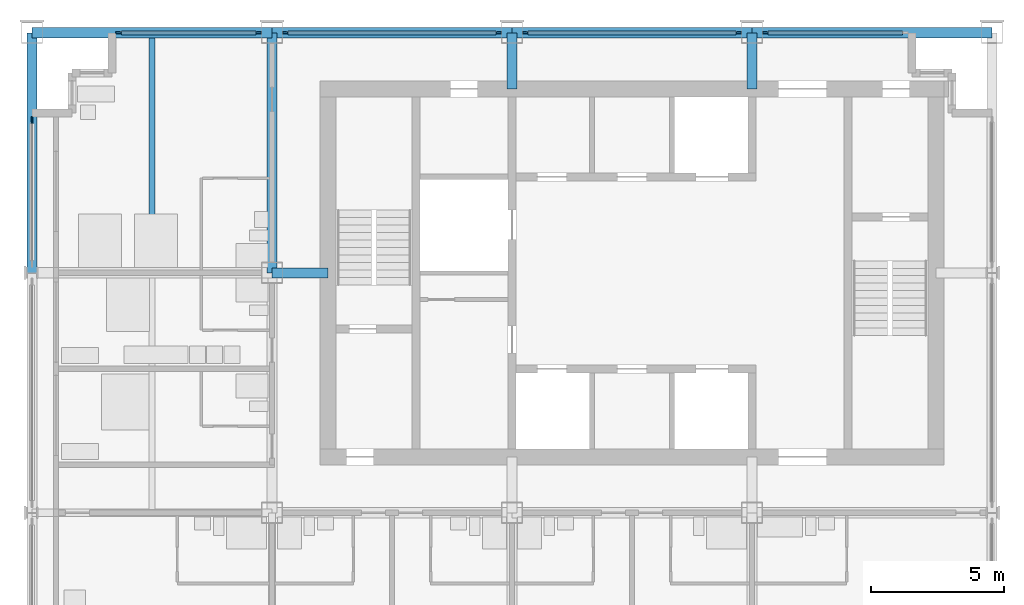
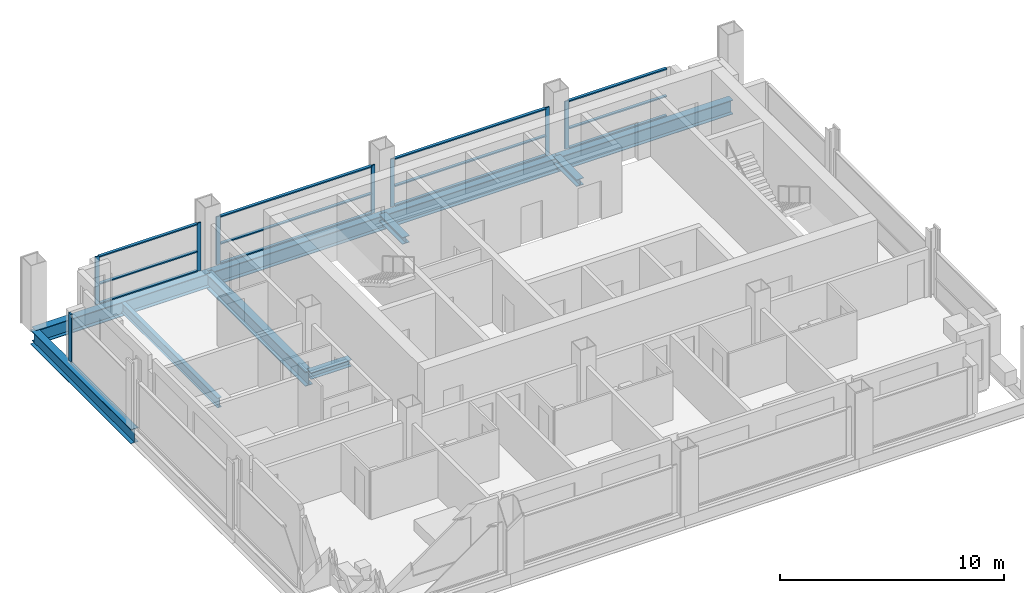
# One storey, part 3 of 12: 23 members, 7 beams, 5 elements without a shape of their own.
"""IFC4 building model written with IfcOpenShell, lengths in metres."""

from ifc_helpers import new_model, si_unit, direction, frame, origin, origin_2d, place, context, subcontext, project, spatial, rectangle, i_section, extrude, material, material_profile, profile_set, type_object, element, aggregate, save


model = new_model("IFC4")

# Units and contexts
model_context = context("Model", 3, precision=1e-05, world=origin(), true_north=direction((0.0, 1.0)))
body_context = subcontext(model_context, "Body", "Model", "MODEL_VIEW")
ifc_project = project(units=[si_unit("LENGTHUNIT", "METRE"), si_unit("AREAUNIT", "SQUARE_METRE"), si_unit("VOLUMEUNIT", "CUBIC_METRE"), si_unit("PLANEANGLEUNIT", "RADIAN"), si_unit("MASSUNIT", "GRAM", prefix="KILO")], contexts=[model_context])

# Site, building, storey
site_placement = place(None, origin())
site = spatial("IfcSite", under=ifc_project, at=site_placement, CompositionType="ELEMENT")
building_placement = place(site_placement, origin())
building = spatial("IfcBuilding", under=site, at=building_placement, Name="Loomwork Tower", CompositionType="ELEMENT")
storey_placement = place(building_placement, frame((0.0, 0.0, 255.39990234375)))
storey = spatial("IfcBuildingStorey", under=building, at=storey_placement, Name="L70", CompositionType="ELEMENT", Elevation=255.39990234375)

# Beam
ifc_material_1 = material(Name="Steel ASTM A992", Category="steel")
ifc_material_profile_1 = material_profile(ifc_material_1, i_section(OverallWidth=0.383544921875, OverallDepth=0.794921875, WebThickness=0.02099609375, FlangeThickness=0.0380859375, at=origin_2d()), Name="W30x235")
ifc_profile_set_1 = profile_set([ifc_material_profile_1], Name="Steel ASTM A992")
beam_type_1 = type_object("IfcBeamType", Name="CORE FLANK GIRDER W30x235", PredefinedType="BEAM", material=ifc_profile_set_1)
beam_1_placement = place(storey_placement, frame((9.0, 18.0, -0.597412109375), z_axis=(0.0, 1.0, 0.0), x_axis=(-1.0, 0.0, 0.0)))
element("IfcBeam", 1, at=beam_1_placement, inside=storey, type_object=beam_type_1, Name="Core Flank Girder F/3-G/3 L70", PredefinedType="BEAM", context=body_context, shape_type="SweptSolid", body=[
    extrude(i_section(OverallWidth=0.383544921875, OverallDepth=0.794921875, WebThickness=0.02099609375, FlangeThickness=0.0380859375, at=origin_2d()), origin(), (0.0, 0.0, 1.0), 9.0),
])

# Members
ifc_material_2 = material(Name="Steel ASTM A992", Category="steel")
ifc_material_profile_2 = material_profile(ifc_material_2, i_section(OverallWidth=0.373291015625, OverallDepth=0.373291015625, WebThickness=0.016357421875, FlangeThickness=0.026123046875, at=origin_2d()), Name="W14x132")
ifc_profile_set_2 = profile_set([ifc_material_profile_2], Name="Steel ASTM A992")
member_type_1 = type_object("IfcMemberType", Name="CORE LINK STRUT W14x132", PredefinedType="STRUT", material=ifc_profile_set_2)
for number, where, z_axis, x_axis, name in (
    (2, (18.0, 27.0, -0.386474609375), (0.0, -1.0, 0.0), (1.0, 0.0, 0.0), "Core link strut G/4-18.000,24.900 L70"),
    (3, (27.0, 27.0, -0.386474609375), (0.0, -1.0, 0.0), (1.0, 0.0, 0.0), "Core link strut G/5-27.000,24.900 L70"),
    (4, (9.0, 18.0, -0.386474609375), (1.0, 0.0, 0.0), (0.0, 1.0, 0.0), "Core link strut F/3-11.100,18.000 L70"),
):
    element("IfcMember", number, at=place(storey_placement, frame(where, z_axis=z_axis, x_axis=x_axis)), inside=storey, type_object=member_type_1, Name=name, PredefinedType="STRUT", context=body_context, shape_type="SweptSolid", body=[
        extrude(i_section(OverallWidth=0.373291015625, OverallDepth=0.373291015625, WebThickness=0.016357421875, FlangeThickness=0.026123046875, at=origin_2d()), origin(), (0.0, 0.0, 1.0), 2.10009765625),
    ])

# Beam
ifc_material_3 = material(Name="Steel ASTM A992", Category="steel")
ifc_material_profile_3 = material_profile(ifc_material_3, i_section(OverallWidth=0.2109375, OverallDepth=0.53857421875, WebThickness=0.011474609375, FlangeThickness=0.018798828125, at=origin_2d()), Name="W21x73")
ifc_profile_set_3 = profile_set([ifc_material_profile_3], Name="Steel ASTM A992")
beam_type_2 = type_object("IfcBeamType", Name="FLOOR JOIST W21x73", PredefinedType="JOIST", material=ifc_profile_set_3)
beam_2_placement = place(storey_placement, frame((4.5, 18.19091796875, -0.46923828125), z_axis=(0.0, 1.0, 0.0), x_axis=(-1.0, 0.0, 0.0)))
element("IfcBeam", 5, at=beam_2_placement, inside=storey, type_object=beam_type_2, Name="Floor Joist 4.500,18.000-4.500,27.000 L70", PredefinedType="JOIST", context=body_context, shape_type="SweptSolid", body=[
    extrude(i_section(OverallWidth=0.2109375, OverallDepth=0.53857421875, WebThickness=0.011474609375, FlangeThickness=0.018798828125, at=origin_2d()), origin(), (0.0, 0.0, 1.0), 8.619140625),
])

# Curtain wall, member
ifc_material_4 = material(Name="Aluminium curtain wall frame", Category="aluminium")
curtain_wall_type_1 = type_object("IfcCurtainWallType", Name="Outer skin glazing suites", PredefinedType="NOTDEFINED", material=ifc_material_4)
curtain_wall_1_placement = place(storey_placement, origin())
curtain_wall_1 = element("IfcCurtainWall", 6, at=curtain_wall_1_placement, inside=storey, type_object=curtain_wall_type_1, Name="Outer skin glazing suites cw/W-18", PredefinedType="NOTDEFINED")
ifc_material_5 = material(Name="Aluminium curtain wall frame", Category="aluminium")
ifc_material_profile_4 = material_profile(ifc_material_5, rectangle(XDim=0.06494140625, YDim=0.25, at=origin_2d()), Name="AL 65x250")
ifc_profile_set_4 = profile_set([ifc_material_profile_4], Name="Aluminium curtain wall frame")
member_type_2 = type_object("IfcMemberType", Name="Outer skin glazing suites mullion", PredefinedType="MULLION", material=ifc_profile_set_4)
member_1_placement = place(storey_placement, frame((0.0, 23.72509765625, 0.0), z_axis=(0.0, 0.0, 1.0), x_axis=(1.0, 0.0, 0.0)))
member_1 = element("IfcMember", 7, at=member_1_placement, type_object=member_type_2, Name="CW2 mullion 1", PredefinedType="MULLION", context=body_context, shape_type="SweptSolid", body=[
    extrude(rectangle(XDim=0.06494140625, YDim=0.25, at=origin_2d()), origin(), (0.0, 0.0, 1.0), 2.620361328125),
])
aggregate(curtain_wall_1, [member_1])

# Beams
ifc_material_6 = material(Name="Steel ASTM A992", Category="steel")
ifc_material_profile_5 = material_profile(ifc_material_6, i_section(OverallWidth=0.381103515625, OverallDepth=0.77978515625, WebThickness=0.01806640625, FlangeThickness=0.0302734375, at=origin_2d()), Name="W30x191")
ifc_profile_set_5 = profile_set([ifc_material_profile_5], Name="Steel ASTM A992")
beam_type_3 = type_object("IfcBeamType", Name="SPANDREL GIRDER W30x191", PredefinedType="SPANDREL", material=ifc_profile_set_5)
for number, where, z_axis, x_axis, name in (
    (8, (0.0, 27.0, -0.58984375), (1.0, 0.0, 0.0), (0.0, 1.0, 0.0), "Spandrel Girder G/2-G/3 L70"),
    (9, (9.0, 27.0, -0.58984375), (1.0, 0.0, 0.0), (0.0, 1.0, 0.0), "Spandrel Girder G/3-G/4 L70"),
    (10, (18.0, 27.0, -0.58984375), (1.0, 0.0, 0.0), (0.0, 1.0, 0.0), "Spandrel Girder G/4-G/5 L70"),
    (11, (27.0, 27.0, -0.58984375), (1.0, 0.0, 0.0), (0.0, 1.0, 0.0), "Spandrel Girder G/5-G/6 L70"),
    (12, (0.0, 18.0, -0.58984375), (0.0, 1.0, 0.0), (-1.0, 0.0, 0.0), "Spandrel Girder F/2-G/2 L70"),
):
    element("IfcBeam", number, at=place(storey_placement, frame(where, z_axis=z_axis, x_axis=x_axis)), inside=storey, type_object=beam_type_3, Name=name, PredefinedType="SPANDREL", context=body_context, shape_type="SweptSolid", body=[
        extrude(i_section(OverallWidth=0.381103515625, OverallDepth=0.77978515625, WebThickness=0.01806640625, FlangeThickness=0.0302734375, at=origin_2d()), origin(), (0.0, 0.0, 1.0), 9.0),
    ])

# Curtain wall, members
ifc_material_7 = material(Name="Aluminium curtain wall frame", Category="aluminium")
curtain_wall_type_2 = type_object("IfcCurtainWallType", Name="Single skin glazing corridor", PredefinedType="NOTDEFINED", material=ifc_material_7)
curtain_wall_2_placement = place(storey_placement, origin())
curtain_wall_2 = element("IfcCurtainWall", 13, at=curtain_wall_2_placement, inside=storey, type_object=curtain_wall_type_2, Name="Single skin glazing corridor cw/N-0", PredefinedType="NOTDEFINED")
ifc_material_8 = material(Name="Aluminium curtain wall frame", Category="aluminium")
ifc_material_profile_6 = material_profile(ifc_material_8, rectangle(XDim=0.06494140625, YDim=0.199951171875, at=origin_2d()), Name="AL 65x200")
ifc_profile_set_6 = profile_set([ifc_material_profile_6], Name="Aluminium curtain wall frame")
member_type_3 = type_object("IfcMemberType", Name="Single skin glazing corridor mullion", PredefinedType="MULLION", material=ifc_profile_set_6)
member_2_placement = place(storey_placement, frame((8.5, 27.0, 0.0), z_axis=(0.0, 0.0, 1.0), x_axis=(0.0, -1.0, 0.0)))
member_2 = element("IfcMember", 14, at=member_2_placement, type_object=member_type_3, Name="CW3 mullion 1", PredefinedType="MULLION", context=body_context, shape_type="SweptSolid", body=[
    extrude(rectangle(XDim=0.06494140625, YDim=0.199951171875, at=origin_2d()), origin(), (0.0, 0.0, 1.0), 2.620361328125),
])
member_3_placement = place(storey_placement, frame((3.25, 27.0, 0.0), z_axis=(0.0, 0.0, 1.0), x_axis=(0.0, -1.0, 0.0)))
member_3 = element("IfcMember", 15, at=member_3_placement, type_object=member_type_3, Name="CW3 mullion 2", PredefinedType="MULLION", context=body_context, shape_type="SweptSolid", body=[
    extrude(rectangle(XDim=0.06494140625, YDim=0.199951171875, at=origin_2d()), origin(), (0.0, 0.0, 1.0), 2.620361328125),
])

curtain_wall_3_placement = place(storey_placement, origin())
curtain_wall_3 = element("IfcCurtainWall", 16, at=curtain_wall_3_placement, inside=storey, type_object=curtain_wall_type_2, Name="Single skin glazing corridor cw/N-9", PredefinedType="NOTDEFINED")
member_4_placement = place(storey_placement, frame((17.5, 27.0, 0.0), z_axis=(0.0, 0.0, 1.0), x_axis=(0.0, -1.0, 0.0)))
member_4 = element("IfcMember", 17, at=member_4_placement, type_object=member_type_3, Name="CW3 mullion 1", PredefinedType="MULLION", context=body_context, shape_type="SweptSolid", body=[
    extrude(rectangle(XDim=0.06494140625, YDim=0.199951171875, at=origin_2d()), origin(), (0.0, 0.0, 1.0), 2.620361328125),
])
member_5_placement = place(storey_placement, frame((9.5, 27.0, 0.0), z_axis=(0.0, 0.0, 1.0), x_axis=(0.0, -1.0, 0.0)))
member_5 = element("IfcMember", 18, at=member_5_placement, type_object=member_type_3, Name="CW3 mullion 2", PredefinedType="MULLION", context=body_context, shape_type="SweptSolid", body=[
    extrude(rectangle(XDim=0.06494140625, YDim=0.199951171875, at=origin_2d()), origin(), (0.0, 0.0, 1.0), 2.620361328125),
])

curtain_wall_4_placement = place(storey_placement, origin())
curtain_wall_4 = element("IfcCurtainWall", 19, at=curtain_wall_4_placement, inside=storey, type_object=curtain_wall_type_2, Name="Single skin glazing corridor cw/N-18", PredefinedType="NOTDEFINED")
member_6_placement = place(storey_placement, frame((26.5, 27.0, 0.0), z_axis=(0.0, 0.0, 1.0), x_axis=(0.0, -1.0, 0.0)))
member_6 = element("IfcMember", 20, at=member_6_placement, type_object=member_type_3, Name="CW3 mullion 1", PredefinedType="MULLION", context=body_context, shape_type="SweptSolid", body=[
    extrude(rectangle(XDim=0.06494140625, YDim=0.199951171875, at=origin_2d()), origin(), (0.0, 0.0, 1.0), 2.620361328125),
])
member_7_placement = place(storey_placement, frame((18.5, 27.0, 0.0), z_axis=(0.0, 0.0, 1.0), x_axis=(0.0, -1.0, 0.0)))
member_7 = element("IfcMember", 21, at=member_7_placement, type_object=member_type_3, Name="CW3 mullion 2", PredefinedType="MULLION", context=body_context, shape_type="SweptSolid", body=[
    extrude(rectangle(XDim=0.06494140625, YDim=0.199951171875, at=origin_2d()), origin(), (0.0, 0.0, 1.0), 2.620361328125),
])

# Curtain wall, member
curtain_wall_5_placement = place(storey_placement, origin())
curtain_wall_5 = element("IfcCurtainWall", 22, at=curtain_wall_5_placement, inside=storey, type_object=curtain_wall_type_2, Name="Single skin glazing corridor cw/N-27", PredefinedType="NOTDEFINED")
member_8_placement = place(storey_placement, frame((27.5, 27.0, 0.0), z_axis=(0.0, 0.0, 1.0), x_axis=(0.0, -1.0, 0.0)))
member_8 = element("IfcMember", 23, at=member_8_placement, type_object=member_type_3, Name="CW3 mullion 2", PredefinedType="MULLION", context=body_context, shape_type="SweptSolid", body=[
    extrude(rectangle(XDim=0.06494140625, YDim=0.199951171875, at=origin_2d()), origin(), (0.0, 0.0, 1.0), 2.620361328125),
])

# Member
ifc_material_9 = material(Name="Aluminium curtain wall frame", Category="aluminium")
ifc_material_profile_7 = material_profile(ifc_material_9, rectangle(XDim=0.14990234375, YDim=0.06494140625, at=origin_2d()), Name="AL 65x150")
ifc_profile_set_7 = profile_set([ifc_material_profile_7], Name="Aluminium curtain wall frame")
member_type_4 = type_object("IfcMemberType", Name="Single skin glazing corridor transom", PredefinedType="USERDEFINED", material=ifc_profile_set_7)
member_9_placement = place(storey_placement, frame((8.39990234375, 27.0, 0.03271484375), z_axis=(-1.0, 0.0, 0.0), x_axis=(0.0, -1.0, 0.0)))
member_9 = element("IfcMember", 24, at=member_9_placement, type_object=member_type_4, Name="CW3 transom 1.1", ObjectType="TRANSOM", PredefinedType="USERDEFINED", context=body_context, shape_type="SweptSolid", body=[
    extrude(rectangle(XDim=0.14990234375, YDim=0.06494140625, at=origin_2d()), origin(), (0.0, 0.0, 1.0), 5.0498046875),
])

member_10_placement = place(storey_placement, frame((8.39990234375, 27.0, 1.10009765625), z_axis=(-1.0, 0.0, 0.0), x_axis=(0.0, -1.0, 0.0)))
member_10 = element("IfcMember", 25, at=member_10_placement, type_object=member_type_4, Name="CW3 transom 1.2", ObjectType="TRANSOM", PredefinedType="USERDEFINED", context=body_context, shape_type="SweptSolid", body=[
    extrude(rectangle(XDim=0.14990234375, YDim=0.06494140625, at=origin_2d()), origin(), (0.0, 0.0, 1.0), 5.0498046875),
])

member_11_placement = place(storey_placement, frame((8.39990234375, 27.0, 2.587890625), z_axis=(-1.0, 0.0, 0.0), x_axis=(0.0, -1.0, 0.0)))
member_11 = element("IfcMember", 26, at=member_11_placement, type_object=member_type_4, Name="CW3 transom 1.3", ObjectType="TRANSOM", PredefinedType="USERDEFINED", context=body_context, shape_type="SweptSolid", body=[
    extrude(rectangle(XDim=0.14990234375, YDim=0.06494140625, at=origin_2d()), origin(), (0.0, 0.0, 1.0), 5.0498046875),
])

aggregate(curtain_wall_2, [member_2, member_3, member_9, member_10, member_11])

member_12_placement = place(storey_placement, frame((17.39990234375, 27.0, 0.03271484375), z_axis=(-1.0, 0.0, 0.0), x_axis=(0.0, -1.0, 0.0)))
member_12 = element("IfcMember", 27, at=member_12_placement, type_object=member_type_4, Name="CW3 transom 1.1", ObjectType="TRANSOM", PredefinedType="USERDEFINED", context=body_context, shape_type="SweptSolid", body=[
    extrude(rectangle(XDim=0.14990234375, YDim=0.06494140625, at=origin_2d()), origin(), (0.0, 0.0, 1.0), 7.7998046875),
])

member_13_placement = place(storey_placement, frame((17.39990234375, 27.0, 1.10009765625), z_axis=(-1.0, 0.0, 0.0), x_axis=(0.0, -1.0, 0.0)))
member_13 = element("IfcMember", 28, at=member_13_placement, type_object=member_type_4, Name="CW3 transom 1.2", ObjectType="TRANSOM", PredefinedType="USERDEFINED", context=body_context, shape_type="SweptSolid", body=[
    extrude(rectangle(XDim=0.14990234375, YDim=0.06494140625, at=origin_2d()), origin(), (0.0, 0.0, 1.0), 7.7998046875),
])

member_14_placement = place(storey_placement, frame((17.39990234375, 27.0, 2.587890625), z_axis=(-1.0, 0.0, 0.0), x_axis=(0.0, -1.0, 0.0)))
member_14 = element("IfcMember", 29, at=member_14_placement, type_object=member_type_4, Name="CW3 transom 1.3", ObjectType="TRANSOM", PredefinedType="USERDEFINED", context=body_context, shape_type="SweptSolid", body=[
    extrude(rectangle(XDim=0.14990234375, YDim=0.06494140625, at=origin_2d()), origin(), (0.0, 0.0, 1.0), 7.7998046875),
])

aggregate(curtain_wall_3, [member_4, member_5, member_12, member_13, member_14])

member_15_placement = place(storey_placement, frame((26.39990234375, 27.0, 0.03271484375), z_axis=(-1.0, 0.0, 0.0), x_axis=(0.0, -1.0, 0.0)))
member_15 = element("IfcMember", 30, at=member_15_placement, type_object=member_type_4, Name="CW3 transom 1.1", ObjectType="TRANSOM", PredefinedType="USERDEFINED", context=body_context, shape_type="SweptSolid", body=[
    extrude(rectangle(XDim=0.14990234375, YDim=0.06494140625, at=origin_2d()), origin(), (0.0, 0.0, 1.0), 7.7998046875),
])

member_16_placement = place(storey_placement, frame((26.39990234375, 27.0, 1.10009765625), z_axis=(-1.0, 0.0, 0.0), x_axis=(0.0, -1.0, 0.0)))
member_16 = element("IfcMember", 31, at=member_16_placement, type_object=member_type_4, Name="CW3 transom 1.2", ObjectType="TRANSOM", PredefinedType="USERDEFINED", context=body_context, shape_type="SweptSolid", body=[
    extrude(rectangle(XDim=0.14990234375, YDim=0.06494140625, at=origin_2d()), origin(), (0.0, 0.0, 1.0), 7.7998046875),
])

member_17_placement = place(storey_placement, frame((26.39990234375, 27.0, 2.587890625), z_axis=(-1.0, 0.0, 0.0), x_axis=(0.0, -1.0, 0.0)))
member_17 = element("IfcMember", 32, at=member_17_placement, type_object=member_type_4, Name="CW3 transom 1.3", ObjectType="TRANSOM", PredefinedType="USERDEFINED", context=body_context, shape_type="SweptSolid", body=[
    extrude(rectangle(XDim=0.14990234375, YDim=0.06494140625, at=origin_2d()), origin(), (0.0, 0.0, 1.0), 7.7998046875),
])

aggregate(curtain_wall_4, [member_6, member_7, member_15, member_16, member_17])

member_18_placement = place(storey_placement, frame((32.64990234375, 27.0, 0.03271484375), z_axis=(-1.0, 0.0, 0.0), x_axis=(0.0, -1.0, 0.0)))
member_18 = element("IfcMember", 33, at=member_18_placement, type_object=member_type_4, Name="CW3 transom 1.1", ObjectType="TRANSOM", PredefinedType="USERDEFINED", context=body_context, shape_type="SweptSolid", body=[
    extrude(rectangle(XDim=0.14990234375, YDim=0.06494140625, at=origin_2d()), origin(), (0.0, 0.0, 1.0), 5.0498046875),
])

member_19_placement = place(storey_placement, frame((32.64990234375, 27.0, 1.10009765625), z_axis=(-1.0, 0.0, 0.0), x_axis=(0.0, -1.0, 0.0)))
member_19 = element("IfcMember", 34, at=member_19_placement, type_object=member_type_4, Name="CW3 transom 1.2", ObjectType="TRANSOM", PredefinedType="USERDEFINED", context=body_context, shape_type="SweptSolid", body=[
    extrude(rectangle(XDim=0.14990234375, YDim=0.06494140625, at=origin_2d()), origin(), (0.0, 0.0, 1.0), 5.0498046875),
])

member_20_placement = place(storey_placement, frame((32.64990234375, 27.0, 2.587890625), z_axis=(-1.0, 0.0, 0.0), x_axis=(0.0, -1.0, 0.0)))
member_20 = element("IfcMember", 35, at=member_20_placement, type_object=member_type_4, Name="CW3 transom 1.3", ObjectType="TRANSOM", PredefinedType="USERDEFINED", context=body_context, shape_type="SweptSolid", body=[
    extrude(rectangle(XDim=0.14990234375, YDim=0.06494140625, at=origin_2d()), origin(), (0.0, 0.0, 1.0), 5.0498046875),
])

aggregate(curtain_wall_5, [member_8, member_18, member_19, member_20])

save(model, "model.ifc")
